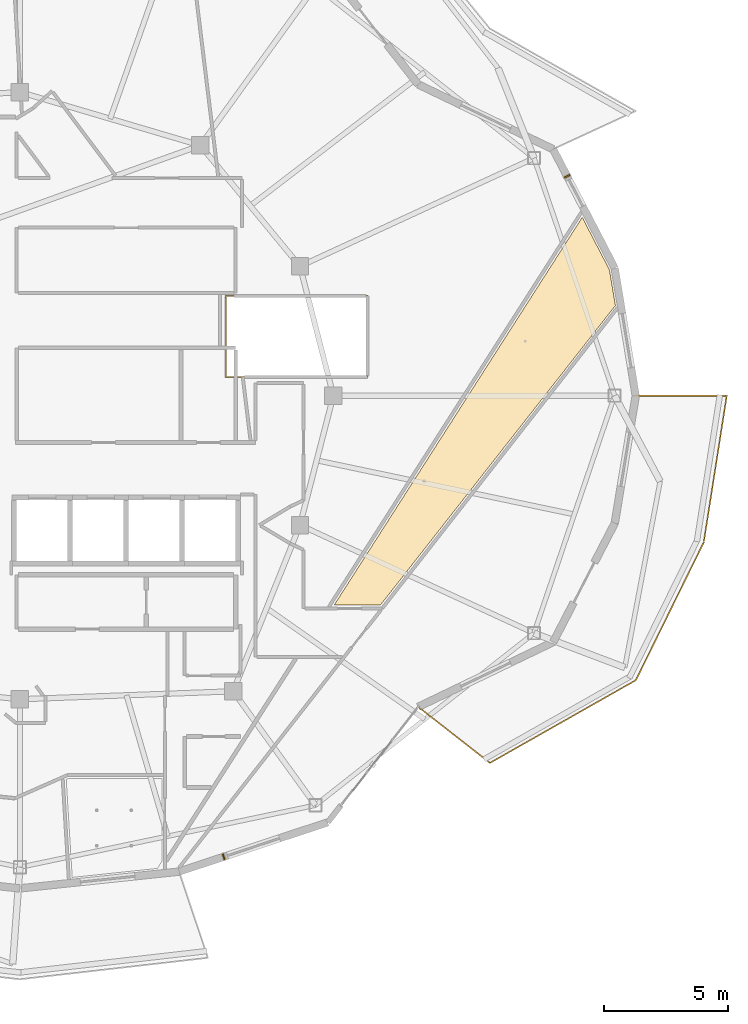
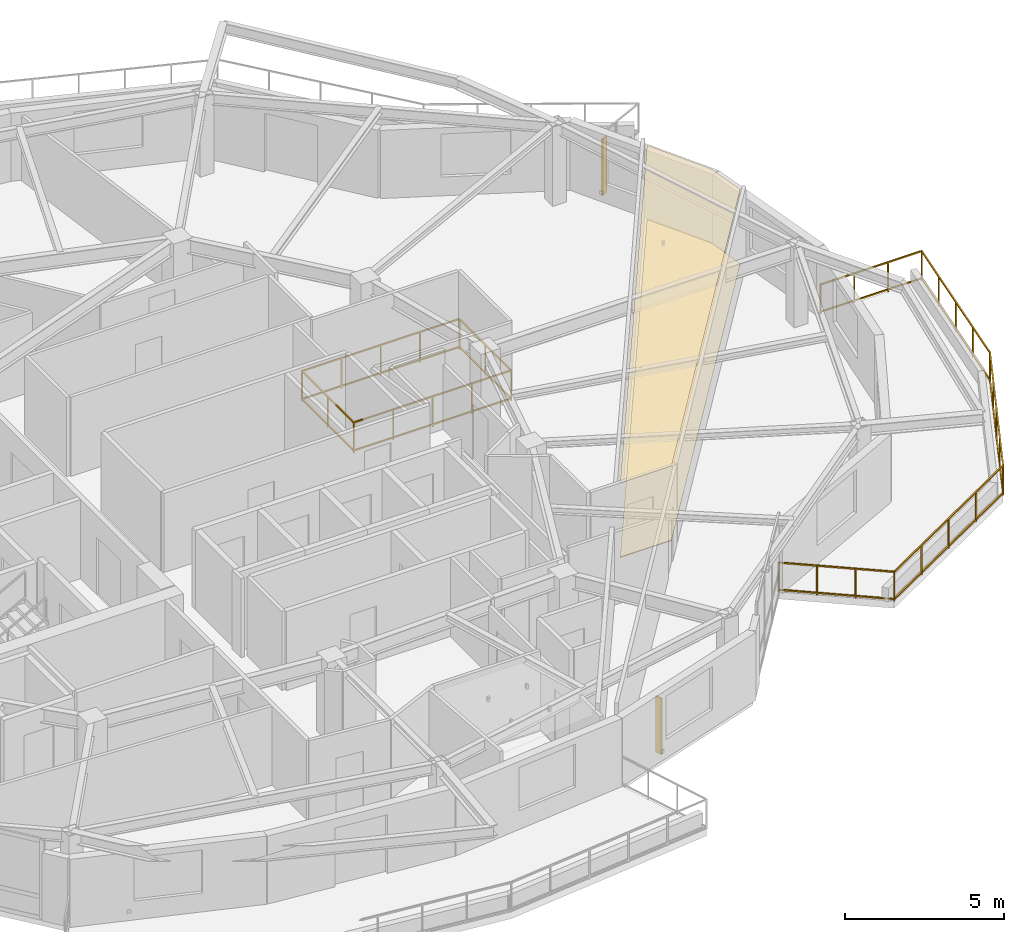
# One storey, part 18 of 19: 2 coverings, 2 railings, 2 shading devices.
"""IFC4 building model written with IfcOpenShell, lengths in metres."""

from ifc_helpers import new_model, si_unit, direction, frame, origin, origin_2d, place, context, subcontext, project, spatial, polyline, rectangle, outline, extrude, material, layer, layer_set, type_object, element, save


model = new_model("IFC4")

# Units and contexts
model_context = context("Model", 3, precision=1e-05, world=origin(), true_north=direction((0.0, 1.0)))
body_context = subcontext(model_context, "Body", "Model", "MODEL_VIEW")
ifc_project = project(units=[si_unit("LENGTHUNIT", "METRE"), si_unit("AREAUNIT", "SQUARE_METRE"), si_unit("VOLUMEUNIT", "CUBIC_METRE"), si_unit("PLANEANGLEUNIT", "RADIAN"), si_unit("MASSUNIT", "GRAM", prefix="KILO")], contexts=[model_context])

# Site, building, storey
site_placement = place(None, origin())
site = spatial("IfcSite", under=ifc_project, at=site_placement, CompositionType="ELEMENT")
building_placement = place(site_placement, origin())
building = spatial("IfcBuilding", under=site, at=building_placement, Name="Kolvaren Gate Tower and Convention Centre", CompositionType="ELEMENT")
storey_placement = place(building_placement, frame((0.0, 0.0, 212.89990234375)))
storey = spatial("IfcBuildingStorey", under=building, at=storey_placement, Name="L56", CompositionType="ELEMENT", Elevation=212.89990234375)

# Coverings
ifc_material_1 = material(Name="Perforated Mineral-Fibre Acoustic Ceiling Tile 18 mm", Category="gypsum")
ifc_layer_1 = layer(ifc_material_1, 0.01806640625)
ifc_layer_set_1 = layer_set([ifc_layer_1], Name="Perforated Mineral-Fibre Acoustic Ceiling Tile 18 mm")
covering_type_1 = type_object("IfcCoveringType", Name="ARCH-COV-CEIL-18", PredefinedType="CEILING", material=ifc_layer_set_1)
covering_1_placement = place(storey_placement, frame((0.0, 0.0, 2.85009765625)))
element("IfcCovering", 1, at=covering_1_placement, inside=storey, type_object=covering_type_1, Name="Resident Quiet Study Office Acoustic Suspended Ceiling", PredefinedType="CEILING", context=body_context, shape_type="SweptSolid", body=[
    extrude(outline(polyline([(44.618896484375, 18.590087890625), (42.758056640625, 18.590087890625), (52.72509765625, 34.16796875), (53.820068359375, 32.053955078125), (54.056884765625, 30.6201171875), (44.618896484375, 18.590087890625)])), origin(), (0.0, 0.0, 1.0), 0.01806640625),
])
ifc_material_2 = material(Name="Honed Sabana Limestone Terrazzo Flooring 30 mm", Category="masonry")
ifc_layer_2 = layer(ifc_material_2, 0.030029296875)
ifc_layer_set_2 = layer_set([ifc_layer_2], Name="Honed Sabana Limestone Terrazzo Flooring 30 mm")
covering_type_2 = type_object("IfcCoveringType", Name="ARCH-COV-FLR-30", PredefinedType="FLOORING", material=ifc_layer_set_2)
covering_2_placement = place(storey_placement, origin())
element("IfcCovering", 2, at=covering_2_placement, inside=storey, type_object=covering_type_2, Name="Resident Quiet Study Office Interior Finish Flooring", PredefinedType="FLOORING", context=body_context, shape_type="SweptSolid", body=[
    extrude(outline(polyline([(44.618896484375, 18.590087890625), (42.758056640625, 18.590087890625), (52.72509765625, 34.16796875), (53.820068359375, 32.053955078125), (54.056884765625, 30.6201171875), (44.618896484375, 18.590087890625)])), origin(), (0.0, 0.0, 1.0), 0.030029296875),
])

# Railings
ifc_material_3 = material(Name="Laminated Tempered Safety Glass Balustrade 21.5 mm", Category="glass")
railing_type_1 = type_object("IfcRailingType", Name="ARCH-RL-BALUST-1180", PredefinedType="BALUSTRADE", material=ifc_material_3)
railing_1_placement = place(storey_placement, frame((38.39990234375, 27.75, 0.0)))
element("IfcRailing", 3, at=railing_1_placement, inside=storey, type_object=railing_type_1, Name="Tower L56 Atrium Void Safety Balustrade", PredefinedType="BALUSTRADE", context=body_context, shape_type="SweptSolid", body=[
    extrude(rectangle(XDim=0.048095703125, YDim=0.048095703125, at=origin_2d()), frame((0.028076171875, 0.0, 1.15576171875), z_axis=(1.0, 0.0, 0.0), x_axis=(0.0, 1.0, 0.0)), (0.0, 0.0, 1.0), 5.64404296875),
    extrude(rectangle(XDim=0.048095703125, YDim=0.048095703125, at=origin_2d()), frame((0.028076171875, 0.0, 0.083984375), z_axis=(1.0, 0.0, 0.0), x_axis=(0.0, 1.0, 0.0)), (0.0, 0.0, 1.0), 5.64404296875),
    extrude(rectangle(XDim=0.048095703125, YDim=0.048095703125, at=origin_2d()), frame((5.7001953125, 0.028076171875, 1.15576171875), z_axis=(0.0, 1.0, 0.0), x_axis=(-1.0, 0.0, 0.0)), (0.0, 0.0, 1.0), 3.19384765625),
    extrude(rectangle(XDim=0.048095703125, YDim=0.048095703125, at=origin_2d()), frame((5.7001953125, 0.028076171875, 0.083984375), z_axis=(0.0, 1.0, 0.0), x_axis=(-1.0, 0.0, 0.0)), (0.0, 0.0, 1.0), 3.19384765625),
    extrude(rectangle(XDim=0.048095703125, YDim=0.048095703125, at=origin_2d()), frame((5.672119140625, 3.25, 1.15576171875), z_axis=(-1.0, 0.0, 0.0), x_axis=(0.0, -1.0, 0.0)), (0.0, 0.0, 1.0), 5.64404296875),
    extrude(rectangle(XDim=0.048095703125, YDim=0.048095703125, at=origin_2d()), frame((5.672119140625, 3.25, 0.083984375), z_axis=(-1.0, 0.0, 0.0), x_axis=(0.0, -1.0, 0.0)), (0.0, 0.0, 1.0), 5.64404296875),
    extrude(rectangle(XDim=0.048095703125, YDim=0.048095703125, at=origin_2d()), frame((0.0, 3.221923828125, 1.15576171875), z_axis=(0.0, -1.0, 0.0), x_axis=(1.0, 0.0, 0.0)), (0.0, 0.0, 1.0), 3.19384765625),
    extrude(rectangle(XDim=0.048095703125, YDim=0.048095703125, at=origin_2d()), frame((0.0, 3.221923828125, 0.083984375), z_axis=(0.0, -1.0, 0.0), x_axis=(1.0, 0.0, 0.0)), (0.0, 0.0, 1.0), 3.19384765625),
    extrude(rectangle(XDim=0.0419921875, YDim=0.0419921875, at=origin_2d()), origin(), (0.0, 0.0, 1.0), 1.179931640625),
    extrude(rectangle(XDim=0.0419921875, YDim=0.0419921875, at=origin_2d()), frame((5.7001953125, 0.0, 0.0)), (0.0, 0.0, 1.0), 1.179931640625),
    extrude(rectangle(XDim=0.0419921875, YDim=0.0419921875, at=origin_2d()), frame((1.425048828125, 0.0, 0.0)), (0.0, 0.0, 1.0), 1.1298828125),
    extrude(rectangle(XDim=0.0419921875, YDim=0.0419921875, at=origin_2d()), frame((2.85009765625, 0.0, 0.0)), (0.0, 0.0, 1.0), 1.1298828125),
    extrude(rectangle(XDim=0.0419921875, YDim=0.0419921875, at=origin_2d()), frame((4.275146484375, 0.0, 0.0)), (0.0, 0.0, 1.0), 1.1298828125),
    extrude(rectangle(XDim=0.0419921875, YDim=0.0419921875, at=origin_2d()), frame((5.7001953125, 3.25, 0.0)), (0.0, 0.0, 1.0), 1.179931640625),
    extrude(rectangle(XDim=0.0419921875, YDim=0.0419921875, at=origin_2d()), frame((5.7001953125, 1.625, 0.0)), (0.0, 0.0, 1.0), 1.1298828125),
    extrude(rectangle(XDim=0.0419921875, YDim=0.0419921875, at=origin_2d()), frame((0.0, 3.25, 0.0)), (0.0, 0.0, 1.0), 1.179931640625),
    extrude(rectangle(XDim=0.0419921875, YDim=0.0419921875, at=origin_2d()), frame((4.275146484375, 3.25, 0.0)), (0.0, 0.0, 1.0), 1.1298828125),
    extrude(rectangle(XDim=0.0419921875, YDim=0.0419921875, at=origin_2d()), frame((2.85009765625, 3.25, 0.0)), (0.0, 0.0, 1.0), 1.1298828125),
    extrude(rectangle(XDim=0.0419921875, YDim=0.0419921875, at=origin_2d()), frame((1.425048828125, 3.25, 0.0)), (0.0, 0.0, 1.0), 1.1298828125),
    extrude(rectangle(XDim=0.0419921875, YDim=0.0419921875, at=origin_2d()), frame((0.0, 1.625, 0.0)), (0.0, 0.0, 1.0), 1.1298828125),
])
ifc_material_4 = material(Name="Brushed Stainless Steel Grade 316L", Category="steel")
railing_type_2 = type_object("IfcRailingType", Name="ARCH-RL-GUARD-1150", PredefinedType="GUARDRAIL", material=ifc_material_4)
railing_2_placement = place(storey_placement, frame((46.132568359375, 14.49267578125, 0.0)))
element("IfcRailing", 4, at=railing_2_placement, inside=storey, type_object=railing_type_2, Name="Tower L56 Terrace Perimeter Guardrail GR-4", PredefinedType="GUARDRAIL", context=body_context, shape_type="SweptSolid", body=[
    extrude(rectangle(XDim=0.048095703125, YDim=0.048095703125, at=origin_2d()), frame((0.022216796875, -0.017333984375, 1.1259765625), z_axis=(0.787988976981, -0.61568934712, 0.0), x_axis=(0.61568934712, 0.787988976981, 0.0)), (0.0, 0.0, 1.0), 3.60400390625),
    extrude(rectangle(XDim=0.048095703125, YDim=0.048095703125, at=origin_2d()), frame((0.022216796875, -0.017333984375, 0.083984375), z_axis=(0.787988976981, -0.61568934712, 0.0), x_axis=(0.61568934712, 0.787988976981, 0.0)), (0.0, 0.0, 1.0), 3.60400390625),
    extrude(rectangle(XDim=0.048095703125, YDim=0.048095703125, at=origin_2d()), frame((2.908447265625, -2.239501953125, 1.1259765625), z_axis=(0.869876155964, 0.493270182846, 0.0), x_axis=(-0.493270182846, 0.869876155964, 0.0)), (0.0, 0.0, 1.0), 6.6865234375),
    extrude(rectangle(XDim=0.048095703125, YDim=0.048095703125, at=origin_2d()), frame((2.908447265625, -2.239501953125, 0.083984375), z_axis=(0.869876155964, 0.493270182846, 0.0), x_axis=(-0.493270182846, 0.869876155964, 0.0)), (0.0, 0.0, 1.0), 6.6865234375),
    extrude(rectangle(XDim=0.048095703125, YDim=0.048095703125, at=origin_2d()), frame((8.76171875, 1.09765625, 1.1259765625), z_axis=(0.441625304244, 0.897199582396, 0.0), x_axis=(-0.897199582396, 0.441625304244, 0.0)), (0.0, 0.0, 1.0), 6.122314453125),
    extrude(rectangle(XDim=0.048095703125, YDim=0.048095703125, at=origin_2d()), frame((8.76171875, 1.09765625, 0.083984375), z_axis=(0.441625304244, 0.897199582396, 0.0), x_axis=(-0.897199582396, 0.441625304244, 0.0)), (0.0, 0.0, 1.0), 6.122314453125),
    extrude(rectangle(XDim=0.048095703125, YDim=0.048095703125, at=origin_2d()), frame((11.482177734375, 6.643310546875, 1.1259765625), z_axis=(0.155031225865, 0.987909570258, 0.0), x_axis=(-0.987909570258, 0.155031225865, 0.0)), (0.0, 0.0, 1.0), 5.90771484375),
    extrude(rectangle(XDim=0.048095703125, YDim=0.048095703125, at=origin_2d()), frame((11.482177734375, 6.643310546875, 0.083984375), z_axis=(0.155031225865, 0.987909570258, 0.0), x_axis=(-0.987909570258, 0.155031225865, 0.0)), (0.0, 0.0, 1.0), 5.90771484375),
    extrude(rectangle(XDim=0.048095703125, YDim=0.048095703125, at=origin_2d()), frame((12.374267578125, 12.50732421875, 1.1259765625), z_axis=(-1.0, 0.0, 0.0), x_axis=(0.0, -1.0, 0.0)), (0.0, 0.0, 1.0), 3.603759765625),
    extrude(rectangle(XDim=0.048095703125, YDim=0.048095703125, at=origin_2d()), frame((12.374267578125, 12.50732421875, 0.083984375), z_axis=(-1.0, 0.0, 0.0), x_axis=(0.0, -1.0, 0.0)), (0.0, 0.0, 1.0), 3.603759765625),
    extrude(rectangle(XDim=0.0419921875, YDim=0.0419921875, at=origin_2d()), origin(), (0.0, 0.0, 1.0), 1.14990234375),
    extrude(rectangle(XDim=0.0419921875, YDim=0.0419921875, at=origin_2d()), frame((2.884033203125, -2.25341796875, 0.0)), (0.0, 0.0, 1.0), 1.14990234375),
    extrude(rectangle(XDim=0.0419921875, YDim=0.0419921875, at=origin_2d()), frame((0.96142578125, -0.751220703125, 0.0)), (0.0, 0.0, 1.0), 1.099853515625),
    extrude(rectangle(XDim=0.0419921875, YDim=0.0419921875, at=origin_2d()), frame((1.922607421875, -1.502197265625, 0.0)), (0.0, 0.0, 1.0), 1.099853515625),
    extrude(rectangle(XDim=0.0419921875, YDim=0.0419921875, at=origin_2d()), frame((8.749267578125, 1.072509765625, 0.0)), (0.0, 0.0, 1.0), 1.14990234375),
    extrude(rectangle(XDim=0.0419921875, YDim=0.0419921875, at=origin_2d()), frame((4.350341796875, -1.421875, 0.0)), (0.0, 0.0, 1.0), 1.099853515625),
    extrude(rectangle(XDim=0.0419921875, YDim=0.0419921875, at=origin_2d()), frame((5.816650390625, -0.59033203125, 0.0)), (0.0, 0.0, 1.0), 1.099853515625),
    extrude(rectangle(XDim=0.0419921875, YDim=0.0419921875, at=origin_2d()), frame((7.282958984375, 0.240966796875, 0.0)), (0.0, 0.0, 1.0), 1.099853515625),
    extrude(rectangle(XDim=0.0419921875, YDim=0.0419921875, at=origin_2d()), frame((11.477783203125, 6.61572265625, 0.0)), (0.0, 0.0, 1.0), 1.14990234375),
    extrude(rectangle(XDim=0.0419921875, YDim=0.0419921875, at=origin_2d()), frame((9.431396484375, 2.458251953125, 0.0)), (0.0, 0.0, 1.0), 1.099853515625),
    extrude(rectangle(XDim=0.0419921875, YDim=0.0419921875, at=origin_2d()), frame((10.113525390625, 3.84423828125, 0.0)), (0.0, 0.0, 1.0), 1.099853515625),
    extrude(rectangle(XDim=0.0419921875, YDim=0.0419921875, at=origin_2d()), frame((10.795654296875, 5.22998046875, 0.0)), (0.0, 0.0, 1.0), 1.099853515625),
    extrude(rectangle(XDim=0.0419921875, YDim=0.0419921875, at=origin_2d()), frame((12.40234375, 12.50732421875, 0.0)), (0.0, 0.0, 1.0), 1.14990234375),
    extrude(rectangle(XDim=0.0419921875, YDim=0.0419921875, at=origin_2d()), frame((11.708984375, 8.088623046875, 0.0)), (0.0, 0.0, 1.0), 1.099853515625),
    extrude(rectangle(XDim=0.0419921875, YDim=0.0419921875, at=origin_2d()), frame((11.93994140625, 9.5615234375, 0.0)), (0.0, 0.0, 1.0), 1.099853515625),
    extrude(rectangle(XDim=0.0419921875, YDim=0.0419921875, at=origin_2d()), frame((12.171142578125, 11.034423828125, 0.0)), (0.0, 0.0, 1.0), 1.099853515625),
    extrude(rectangle(XDim=0.0419921875, YDim=0.0419921875, at=origin_2d()), frame((8.742431640625, 12.50732421875, 0.0)), (0.0, 0.0, 1.0), 1.14990234375),
    extrude(rectangle(XDim=0.0419921875, YDim=0.0419921875, at=origin_2d()), frame((11.182373046875, 12.50732421875, 0.0)), (0.0, 0.0, 1.0), 1.099853515625),
    extrude(rectangle(XDim=0.0419921875, YDim=0.0419921875, at=origin_2d()), frame((9.96240234375, 12.50732421875, 0.0)), (0.0, 0.0, 1.0), 1.099853515625),
])

# Shading devices
ifc_material_5 = material(Name="Kiln-Fired Bogota Terracotta Ceramic Louvre Profile", Category="masonry")
shading_device_type = type_object("IfcShadingDeviceType", Name="ARCH-SHD-FIN-180", PredefinedType="JALOUSIE", material=ifc_material_5)
for number, where, z_axis, x_axis, name in (
    (5, (52.1201171875, 35.816650390625, 0.22021484375), (0.0, 0.0, 1.0), (0.459799959359, -0.888022520758, 0.0), "Ceramic Vertical Brise-Soleil Fin FN-L56-01"),
    (6, (38.319091796875, 8.46728515625, 0.22021484375), (0.0, 0.0, 1.0), (0.949241728595, 0.314547517385, 0.0), "Ceramic Vertical Brise-Soleil Fin FN-L56-19"),
):
    element("IfcShadingDevice", number, at=place(storey_placement, frame(where, z_axis=z_axis, x_axis=x_axis)), inside=storey, type_object=shading_device_type, Name=name, PredefinedType="JALOUSIE", context=body_context, shape_type="SweptSolid", body=[
        extrude(rectangle(XDim=0.06005859375, YDim=0.239990234375, at=origin_2d()), origin(), (0.0, 0.0, 1.0), 2.14990234375),
    ])

save(model, "model.ifc")
